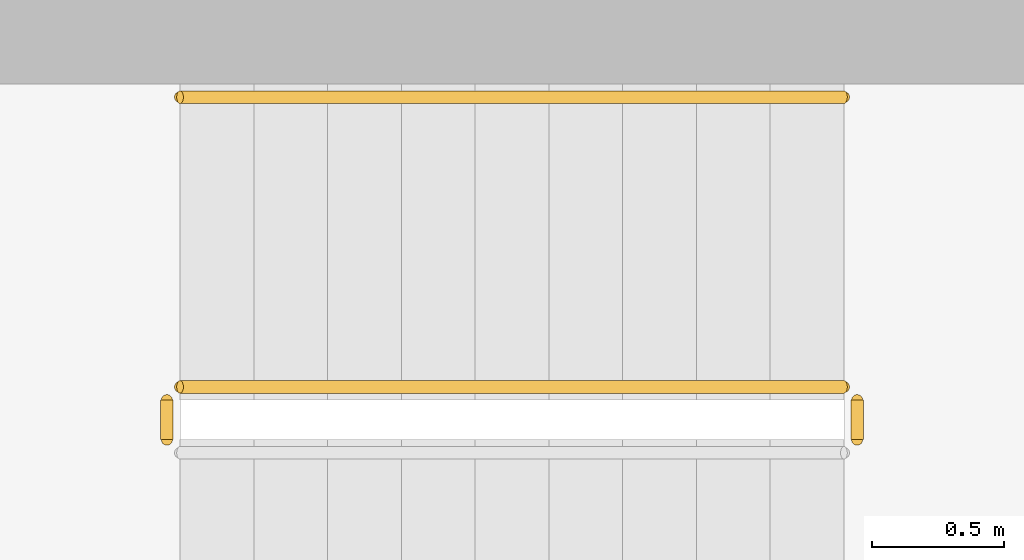
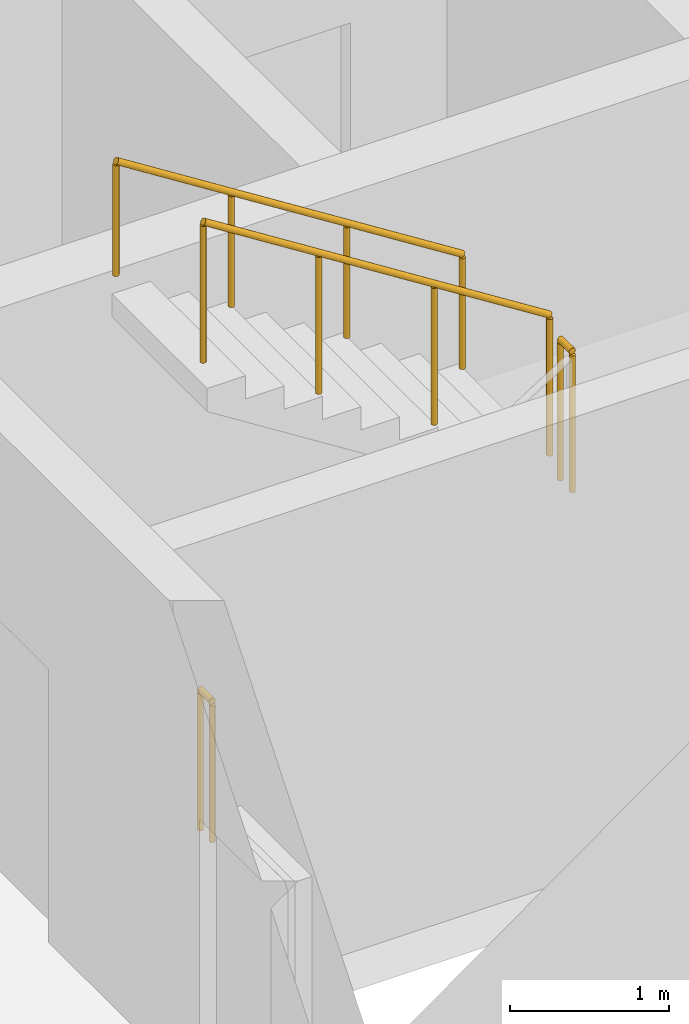
# One storey, part 15 of 17: 4 railings.
"""IFC4 building model written with IfcOpenShell, lengths in metres."""

from ifc_helpers import new_model, si_unit, direction, frame, origin, origin_2d, place, context, subcontext, project, spatial, circle, extrude, material, type_object, element, save


model = new_model("IFC4")

# Units and contexts
model_context = context("Model", 3, precision=1e-05, world=origin(), true_north=direction((0.0, 1.0)))
body_context = subcontext(model_context, "Body", "Model", "MODEL_VIEW")
ifc_project = project(units=[si_unit("LENGTHUNIT", "METRE"), si_unit("AREAUNIT", "SQUARE_METRE"), si_unit("VOLUMEUNIT", "CUBIC_METRE"), si_unit("PLANEANGLEUNIT", "RADIAN"), si_unit("MASSUNIT", "GRAM", prefix="KILO")], contexts=[model_context])

# Site, building, storey
site_placement = place(None, origin())
site = spatial("IfcSite", under=ifc_project, at=site_placement, CompositionType="ELEMENT")
building_placement = place(site_placement, origin())
building = spatial("IfcBuilding", under=site, at=building_placement, Name="Ostrand Prow Hotel Tower", CompositionType="ELEMENT")
storey_placement = place(building_placement, frame((0.0, 0.0, 92.0)))
storey = spatial("IfcBuildingStorey", under=building, at=storey_placement, Name="L21", CompositionType="ELEMENT", Elevation=92.0)

# Railings
ifc_material_1 = material(Name="Painted steel", Category="steel")
railing_type_1 = type_object("IfcRailingType", Name="Stair guard 1100", PredefinedType="GUARDRAIL", material=ifc_material_1)
railing_1_placement = place(storey_placement, frame((59.77001953125, -11.699951171875, 1.77490234375)))
element("IfcRailing", 1, at=railing_1_placement, inside=storey, type_object=railing_type_1, Name="L21 ST2C stair guard 2", PredefinedType="GUARDRAIL", context=body_context, shape_type="SweptSolid", body=[
    extrude(circle(Radius=0.02392578125, at=origin_2d()), frame((0.0, 0.0, 1.076171875), z_axis=(0.0, 1.0, 0.0), x_axis=(-1.0, 0.0, 0.0)), (0.0, 0.0, 1.0), 0.14990234375),
    extrude(circle(Radius=0.02099609375, at=origin_2d()), origin(), (0.0, 0.0, 1.0), 1.052001953125),
    extrude(circle(Radius=0.02099609375, at=origin_2d()), frame((0.0, 0.14990234375, 0.0)), (0.0, 0.0, 1.0), 1.052001953125),
])
railing_2_placement = place(storey_placement, frame((59.719970703125, -11.5, 1.952392578125)))
element("IfcRailing", 2, at=railing_2_placement, inside=storey, type_object=railing_type_1, Name="L21 ST2C stair guard 3", PredefinedType="GUARDRAIL", context=body_context, shape_type="SweptSolid", body=[
    extrude(circle(Radius=0.02392578125, at=origin_2d()), frame((0.0, 0.0, 1.076171875), z_axis=(-0.84456994832, 0.0, 0.535445237532), x_axis=(0.0, -1.0, 0.0)), (0.0, 0.0, 1.0), 2.98388671875),
    extrude(circle(Radius=0.02099609375, at=origin_2d()), origin(), (0.0, 0.0, 1.0), 1.052001953125),
    extrude(circle(Radius=0.02099609375, at=origin_2d()), frame((-0.840087890625, 0.0, 0.532470703125)), (0.0, 0.0, 1.0), 1.052001953125),
    extrude(circle(Radius=0.02099609375, at=origin_2d()), frame((-1.679931640625, 0.0, 1.065185546875)), (0.0, 0.0, 1.0), 1.052001953125),
    extrude(circle(Radius=0.02099609375, at=origin_2d()), frame((-2.52001953125, 0.0, 1.59765625)), (0.0, 0.0, 1.0), 1.052001953125),
])
railing_3_placement = place(storey_placement, frame((57.14990234375, -11.699951171875, 0.0)))
element("IfcRailing", 3, at=railing_3_placement, inside=storey, type_object=railing_type_1, Name="L21 ST2C stair guard 4", PredefinedType="GUARDRAIL", context=body_context, shape_type="SweptSolid", body=[
    extrude(circle(Radius=0.02392578125, at=origin_2d()), frame((0.0, 0.0, 1.076171875), z_axis=(0.0, 1.0, 0.0), x_axis=(-1.0, 0.0, 0.0)), (0.0, 0.0, 1.0), 0.14990234375),
    extrude(circle(Radius=0.02099609375, at=origin_2d()), origin(), (0.0, 0.0, 1.0), 1.052001953125),
    extrude(circle(Radius=0.02099609375, at=origin_2d()), frame((0.0, 0.14990234375, 0.0)), (0.0, 0.0, 1.0), 1.052001953125),
])
ifc_material_2 = material(Name="Stainless steel", Category="steel")
railing_type_2 = type_object("IfcRailingType", Name="Stair handrail 900", PredefinedType="HANDRAIL", material=ifc_material_2)
railing_4_placement = place(storey_placement, frame((59.719970703125, -10.39990234375, 1.952392578125)))
element("IfcRailing", 4, at=railing_4_placement, inside=storey, type_object=railing_type_2, Name="L21 ST2C stair handrail 2", PredefinedType="HANDRAIL", context=body_context, shape_type="SweptSolid", body=[
    extrude(circle(Radius=0.02392578125, at=origin_2d()), frame((0.0, 0.0, 0.8759765625), z_axis=(-0.84456994832, 0.0, 0.535445237532), x_axis=(0.0, -1.0, 0.0)), (0.0, 0.0, 1.0), 2.98388671875),
    extrude(circle(Radius=0.02099609375, at=origin_2d()), origin(), (0.0, 0.0, 1.0), 0.851806640625),
    extrude(circle(Radius=0.02099609375, at=origin_2d()), frame((-0.840087890625, 0.0, 0.532470703125)), (0.0, 0.0, 1.0), 0.851806640625),
    extrude(circle(Radius=0.02099609375, at=origin_2d()), frame((-1.679931640625, 0.0, 1.065185546875)), (0.0, 0.0, 1.0), 0.851806640625),
    extrude(circle(Radius=0.02099609375, at=origin_2d()), frame((-2.52001953125, 0.0, 1.59765625)), (0.0, 0.0, 1.0), 0.851806640625),
])

save(model, "model.ifc")
